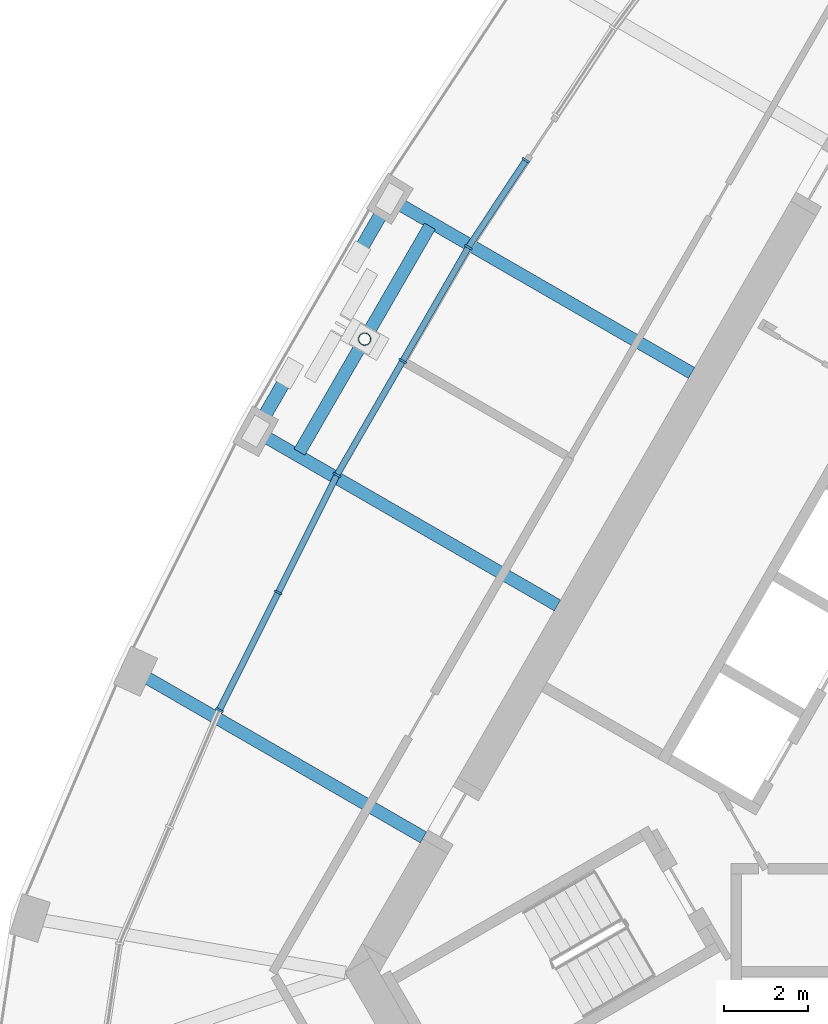
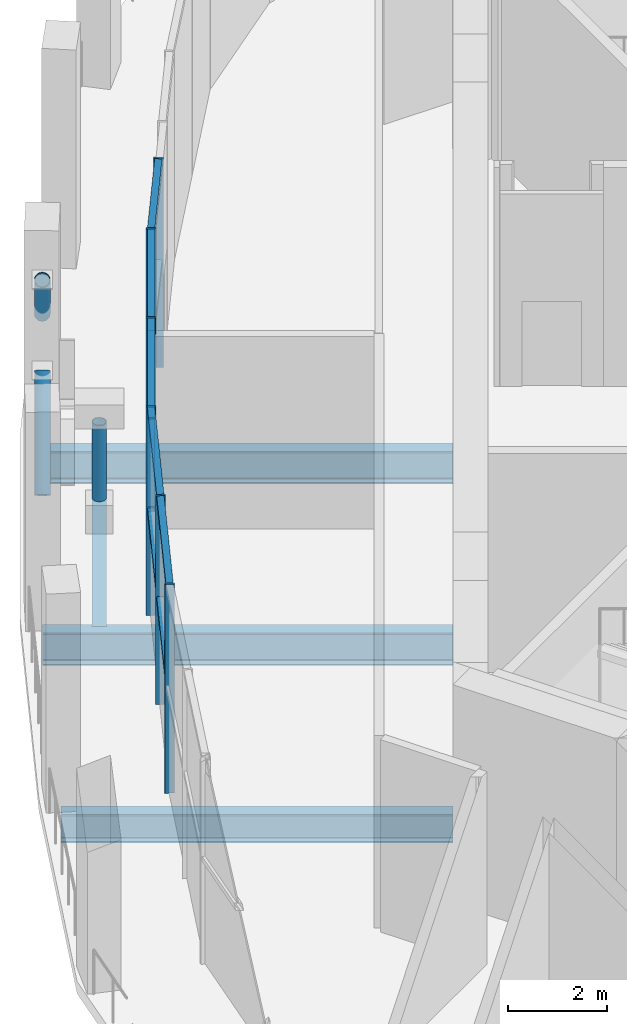
# One storey, part 4 of 23: 19 members, 4 beams, 1 element without a shape of its own.
"""IFC4 building model written with IfcOpenShell, lengths in metres."""

from ifc_helpers import new_model, si_unit, direction, frame, origin, origin_2d, place, context, subcontext, project, spatial, rectangle, hollow_circle, i_section, extrude, material, material_profile, profile_set, type_object, element, aggregate, save


model = new_model("IFC4")

# Units and contexts
model_context = context("Model", 3, precision=1e-05, world=origin(), true_north=direction((0.0, 1.0)))
body_context = subcontext(model_context, "Body", "Model", "MODEL_VIEW")
ifc_project = project(units=[si_unit("LENGTHUNIT", "METRE"), si_unit("AREAUNIT", "SQUARE_METRE"), si_unit("VOLUMEUNIT", "CUBIC_METRE"), si_unit("PLANEANGLEUNIT", "RADIAN"), si_unit("MASSUNIT", "GRAM", prefix="KILO")], contexts=[model_context])

# Site, building, storey
site_placement = place(None, origin())
site = spatial("IfcSite", under=ifc_project, at=site_placement, CompositionType="ELEMENT")
building_placement = place(site_placement, origin())
building = spatial("IfcBuilding", under=site, at=building_placement, Name="Mestral Congress Tower", CompositionType="ELEMENT")
storey_placement = place(building_placement, frame((0.0, 0.0, 261.60009765625)))
storey = spatial("IfcBuildingStorey", under=building, at=storey_placement, Name="L61", CompositionType="ELEMENT", Elevation=261.60009765625)

# Curtain wall, members
ifc_material_1 = material(Name="Clear low-emissivity double glazing", Category="glass")
curtain_wall_type = type_object("IfcCurtainWallType", Name="Facade control room curtain wall", PredefinedType="USERDEFINED", material=ifc_material_1)
curtain_wall_placement = place(storey_placement, origin())
curtain_wall = element("IfcCurtainWall", 1, at=curtain_wall_placement, inside=storey, type_object=curtain_wall_type, Name="Facade control room curtain wall face 3", ObjectType="CURTAIN WALL", PredefinedType="USERDEFINED")
ifc_material_2 = material(Name="Anodised aluminium", Category="aluminium")
ifc_material_profile_1 = material_profile(ifc_material_2, rectangle(XDim=0.199951171875, YDim=0.050048828125, at=origin_2d()), Name="CW5 mullion 200 x 50")
ifc_profile_set_1 = profile_set([ifc_material_profile_1], Name="Anodised aluminium")
member_type_1 = type_object("IfcMemberType", Name="Facade control room curtain wall mullion", PredefinedType="MULLION", material=ifc_profile_set_1)
member_1_placement = place(storey_placement, frame((-11.315673828125, 13.014892578125, 0.0), z_axis=(0.0, 0.0, 1.0), x_axis=(-0.834670077272, 0.550750271998, 0.0)))
member_1 = element("IfcMember", 2, at=member_1_placement, type_object=member_type_1, Name="Facade control room curtain wall mullion", PredefinedType="MULLION", context=body_context, shape_type="SweptSolid", body=[
    extrude(rectangle(XDim=0.199951171875, YDim=0.050048828125, at=origin_2d()), origin(), (0.0, 0.0, 1.0), 5.14990234375),
])
member_2_placement = place(storey_placement, frame((-12.68359375, 10.941650390625, 0.0), z_axis=(0.0, 0.0, 1.0), x_axis=(-0.850725805959, 0.525609744083, 0.0)))
member_2 = element("IfcMember", 3, at=member_2_placement, type_object=member_type_1, Name="Facade control room curtain wall mullion", PredefinedType="MULLION", context=body_context, shape_type="SweptSolid", body=[
    extrude(rectangle(XDim=0.199951171875, YDim=0.050048828125, at=origin_2d()), origin(), (0.0, 0.0, 1.0), 5.14990234375),
])
member_3_placement = place(storey_placement, frame((-14.25048828125, 8.2275390625, 0.0), z_axis=(0.0, 0.0, 1.0), x_axis=(-0.866025403784, 0.5, 0.0)))
member_3 = element("IfcMember", 4, at=member_3_placement, type_object=member_type_1, Name="Facade control room curtain wall mullion", PredefinedType="MULLION", context=body_context, shape_type="SweptSolid", body=[
    extrude(rectangle(XDim=0.199951171875, YDim=0.050048828125, at=origin_2d()), origin(), (0.0, 0.0, 1.0), 5.14990234375),
])
member_4_placement = place(storey_placement, frame((-15.817626953125, 5.513671875, 0.0), z_axis=(0.0, 0.0, 1.0), x_axis=(-0.880554293832, 0.473945287575, 0.0)))
member_4 = element("IfcMember", 5, at=member_4_placement, type_object=member_type_1, Name="Facade control room curtain wall mullion", PredefinedType="MULLION", context=body_context, shape_type="SweptSolid", body=[
    extrude(rectangle(XDim=0.199951171875, YDim=0.050048828125, at=origin_2d()), origin(), (0.0, 0.0, 1.0), 5.14990234375),
])
member_5_placement = place(storey_placement, frame((-17.219970703125, 2.7109375, 0.0), z_axis=(0.0, 0.0, 1.0), x_axis=(-0.894298765328, 0.447470354697, 0.0)))
member_5 = element("IfcMember", 6, at=member_5_placement, type_object=member_type_1, Name="Facade control room curtain wall mullion", PredefinedType="MULLION", context=body_context, shape_type="SweptSolid", body=[
    extrude(rectangle(XDim=0.199951171875, YDim=0.050048828125, at=origin_2d()), origin(), (0.0, 0.0, 1.0), 5.14990234375),
])
member_6_placement = place(storey_placement, frame((-18.622314453125, -0.091552734375, 0.0), z_axis=(0.0, 0.0, 1.0), x_axis=(-0.907248194737, 0.420595664679, 0.0)))
member_6 = element("IfcMember", 7, at=member_6_placement, type_object=member_type_1, Name="Facade control room curtain wall mullion", PredefinedType="MULLION", context=body_context, shape_type="SweptSolid", body=[
    extrude(rectangle(XDim=0.199951171875, YDim=0.050048828125, at=origin_2d()), origin(), (0.0, 0.0, 1.0), 5.14990234375),
])
ifc_material_profile_2 = material_profile(ifc_material_2, rectangle(XDim=0.14990234375, YDim=0.1201171875, at=origin_2d()), Name="CW5 transom 150 x 120")
ifc_profile_set_2 = profile_set([ifc_material_profile_2], Name="Anodised aluminium")
member_type_2 = type_object("IfcMemberType", Name="Facade control room curtain wall transom", PredefinedType="USERDEFINED", material=ifc_profile_set_2)
member_7_placement = place(storey_placement, frame((-11.32958984375, 12.993896484375, 2.599853515625), z_axis=(-0.550712235017, -0.834695174422, 0.0), x_axis=(0.834695174422, -0.550712235017, 0.0)))
member_7 = element("IfcMember", 8, at=member_7_placement, type_object=member_type_2, Name="Facade control room curtain wall transom", ObjectType="TRANSOM", PredefinedType="USERDEFINED", context=body_context, shape_type="SweptSolid", body=[
    extrude(rectangle(XDim=0.14990234375, YDim=0.1201171875, at=origin_2d()), origin(), (0.0, 0.0, 1.0), 2.433837890625),
])
member_8_placement = place(storey_placement, frame((-11.32958984375, 12.993896484375, 5.08984375), z_axis=(-0.550712235017, -0.834695174422, 0.0), x_axis=(0.834695174422, -0.550712235017, 0.0)))
member_8 = element("IfcMember", 9, at=member_8_placement, type_object=member_type_2, Name="Facade control room curtain wall transom", ObjectType="TRANSOM", PredefinedType="USERDEFINED", context=body_context, shape_type="SweptSolid", body=[
    extrude(rectangle(XDim=0.14990234375, YDim=0.1201171875, at=origin_2d()), origin(), (0.0, 0.0, 1.0), 2.433837890625),
])
member_9_placement = place(storey_placement, frame((-12.6962890625, 10.919921875, 2.599853515625), z_axis=(-0.499962318598, -0.866047158059, 0.0), x_axis=(0.866047158059, -0.499962318598, 0.0)))
member_9 = element("IfcMember", 10, at=member_9_placement, type_object=member_type_2, Name="Facade control room curtain wall transom", ObjectType="TRANSOM", PredefinedType="USERDEFINED", context=body_context, shape_type="SweptSolid", body=[
    extrude(rectangle(XDim=0.14990234375, YDim=0.1201171875, at=origin_2d()), origin(), (0.0, 0.0, 1.0), 3.083740234375),
])
member_10_placement = place(storey_placement, frame((-12.6962890625, 10.919921875, 5.08984375), z_axis=(-0.499962318598, -0.866047158059, 0.0), x_axis=(0.866047158059, -0.499962318598, 0.0)))
member_10 = element("IfcMember", 11, at=member_10_placement, type_object=member_type_2, Name="Facade control room curtain wall transom", ObjectType="TRANSOM", PredefinedType="USERDEFINED", context=body_context, shape_type="SweptSolid", body=[
    extrude(rectangle(XDim=0.14990234375, YDim=0.1201171875, at=origin_2d()), origin(), (0.0, 0.0, 1.0), 3.083740234375),
])
member_11_placement = place(storey_placement, frame((-14.26318359375, 8.2060546875, 2.599853515625), z_axis=(-0.499987416453, -0.866032668777, 0.0), x_axis=(0.866032668777, -0.499987416453, 0.0)))
member_11 = element("IfcMember", 12, at=member_11_placement, type_object=member_type_2, Name="Facade control room curtain wall transom", ObjectType="TRANSOM", PredefinedType="USERDEFINED", context=body_context, shape_type="SweptSolid", body=[
    extrude(rectangle(XDim=0.14990234375, YDim=0.1201171875, at=origin_2d()), origin(), (0.0, 0.0, 1.0), 3.083984375),
])
member_12_placement = place(storey_placement, frame((-14.26318359375, 8.2060546875, 5.08984375), z_axis=(-0.499987416453, -0.866032668777, 0.0), x_axis=(0.866032668777, -0.499987416453, 0.0)))
member_12 = element("IfcMember", 13, at=member_12_placement, type_object=member_type_2, Name="Facade control room curtain wall transom", ObjectType="TRANSOM", PredefinedType="USERDEFINED", context=body_context, shape_type="SweptSolid", body=[
    extrude(rectangle(XDim=0.14990234375, YDim=0.1201171875, at=origin_2d()), origin(), (0.0, 0.0, 1.0), 3.083984375),
])
member_13_placement = place(storey_placement, frame((-15.828857421875, 5.4912109375, 2.599853515625), z_axis=(-0.447466920474, -0.894300483664, 0.0), x_axis=(0.894300483664, -0.447466920474, 0.0)))
member_13 = element("IfcMember", 14, at=member_13_placement, type_object=member_type_2, Name="Facade control room curtain wall transom", ObjectType="TRANSOM", PredefinedType="USERDEFINED", context=body_context, shape_type="SweptSolid", body=[
    extrude(rectangle(XDim=0.14990234375, YDim=0.1201171875, at=origin_2d()), origin(), (0.0, 0.0, 1.0), 3.083740234375),
])
member_14_placement = place(storey_placement, frame((-15.828857421875, 5.4912109375, 5.08984375), z_axis=(-0.447466920474, -0.894300483664, 0.0), x_axis=(0.894300483664, -0.447466920474, 0.0)))
member_14 = element("IfcMember", 15, at=member_14_placement, type_object=member_type_2, Name="Facade control room curtain wall transom", ObjectType="TRANSOM", PredefinedType="USERDEFINED", context=body_context, shape_type="SweptSolid", body=[
    extrude(rectangle(XDim=0.14990234375, YDim=0.1201171875, at=origin_2d()), origin(), (0.0, 0.0, 1.0), 3.083740234375),
])
member_15_placement = place(storey_placement, frame((-17.231201171875, 2.688720703125, 2.599853515625), z_axis=(-0.447435241122, -0.894316333856, 0.0), x_axis=(0.894316333856, -0.447435241122, 0.0)))
member_15 = element("IfcMember", 16, at=member_15_placement, type_object=member_type_2, Name="Facade control room curtain wall transom", ObjectType="TRANSOM", PredefinedType="USERDEFINED", context=body_context, shape_type="SweptSolid", body=[
    extrude(rectangle(XDim=0.14990234375, YDim=0.1201171875, at=origin_2d()), origin(), (0.0, 0.0, 1.0), 3.083984375),
])
member_16_placement = place(storey_placement, frame((-17.231201171875, 2.688720703125, 5.08984375), z_axis=(-0.447435241122, -0.894316333856, 0.0), x_axis=(0.894316333856, -0.447435241122, 0.0)))
member_16 = element("IfcMember", 17, at=member_16_placement, type_object=member_type_2, Name="Facade control room curtain wall transom", ObjectType="TRANSOM", PredefinedType="USERDEFINED", context=body_context, shape_type="SweptSolid", body=[
    extrude(rectangle(XDim=0.14990234375, YDim=0.1201171875, at=origin_2d()), origin(), (0.0, 0.0, 1.0), 3.083984375),
])
aggregate(curtain_wall, [member_1, member_2, member_3, member_4, member_5, member_6, member_7, member_8, member_9, member_10, member_11, member_12, member_13, member_14, member_15, member_16])

# Beams
ifc_material_3 = material(Name="Steel S355", Category="steel")
ifc_material_profile_3 = material_profile(ifc_material_3, i_section(OverallWidth=0.300048828125, OverallDepth=0.699951171875, WebThickness=0.01708984375, FlangeThickness=0.031982421875, FilletRadius=0.027099609375, at=origin_2d()), Name="HEB 700")
ifc_profile_set_3 = profile_set([ifc_material_profile_3], Name="Steel S355")
beam_type_1 = type_object("IfcBeamType", Name="Floor beam HEB 700 S355", PredefinedType="BEAM", material=ifc_profile_set_3)
beam_1_placement = place(storey_placement, frame((-20.618896484375, 0.833984375, -0.650146484375), z_axis=(0.866033195618, -0.499986503906, 0.0), x_axis=(0.499986503906, 0.866033195618, 0.0)))
element("IfcBeam", 18, at=beam_1_placement, inside=storey, type_object=beam_type_1, Name="BM-L61-RB5-W04", PredefinedType="BEAM", context=body_context, shape_type="SweptSolid", body=[
    extrude(i_section(OverallWidth=0.300048828125, OverallDepth=0.699951171875, WebThickness=0.01708984375, FlangeThickness=0.031982421875, FilletRadius=0.027099609375, at=origin_2d()), origin(), (0.0, 0.0, 1.0), 7.923583984375),
])
ifc_material_profile_4 = material_profile(ifc_material_3, i_section(OverallWidth=0.300048828125, OverallDepth=0.800048828125, WebThickness=0.017578125, FlangeThickness=0.032958984375, FilletRadius=0.030029296875, at=origin_2d()), Name="HEB 800")
ifc_profile_set_4 = profile_set([ifc_material_profile_4], Name="Steel S355")
beam_type_2 = type_object("IfcBeamType", Name="Floor beam HEB 800 S355", PredefinedType="BEAM", material=ifc_profile_set_4)
for number, where, z_axis, x_axis, name in (
    (19, (-14.55615234375, 12.098388671875, -0.7001953125), (0.866029429613, -0.499993026995, 0.0), (0.499993026995, 0.866029429613, 0.0), "BM-L61-RB5-W02"),
    (20, (-17.755615234375, 6.556640625, -0.7001953125), (0.86602208059, -0.500005755898, 0.0), (0.500005755898, 0.86602208059, 0.0), "BM-L61-RB5-W03"),
):
    element("IfcBeam", number, at=place(storey_placement, frame(where, z_axis=z_axis, x_axis=x_axis)), inside=storey, type_object=beam_type_2, Name=name, PredefinedType="BEAM", context=body_context, shape_type="SweptSolid", body=[
        extrude(i_section(OverallWidth=0.300048828125, OverallDepth=0.800048828125, WebThickness=0.017578125, FlangeThickness=0.032958984375, FilletRadius=0.030029296875, at=origin_2d()), origin(), (0.0, 0.0, 1.0), 8.30517578125),
    ])

# Members
ifc_material_profile_5 = material_profile(ifc_material_3, hollow_circle(Radius=0.161865234375, WallThickness=0.012451171875, at=origin_2d()), Name="CHS 323.9x12.5")
ifc_profile_set_5 = profile_set([ifc_material_profile_5], Name="Steel S355")
member_type_3 = type_object("IfcMemberType", Name="Slot frame knee brace CHS 323.9x12.5 S355", PredefinedType="BRACE", material=ifc_profile_set_5)
for number, where, z_axis, x_axis, name in (
    (21, (-14.55615234375, 12.098388671875, 3.0), (-0.31671608305, -0.548478416634, 0.773861970395), (0.865989903783, -0.500061482766, 0.0), "MK-L61-KB-C5-W02"),
    (22, (-17.755615234375, 6.556640625, 3.0), (0.316612340064, 0.548562772346, 0.7738446297), (-0.866094119867, 0.499880961361, 0.0), "MK-L61-KB-C5-W03"),
):
    element("IfcMember", number, at=place(storey_placement, frame(where, z_axis=z_axis, x_axis=x_axis)), inside=storey, type_object=member_type_3, Name=name, PredefinedType="BRACE", context=body_context, shape_type="SweptSolid", body=[
        extrude(hollow_circle(Radius=0.161865234375, WallThickness=0.012451171875, at=origin_2d()), origin(), (0.0, 0.0, 1.0), 2.526123046875),
    ])
ifc_material_profile_6 = material_profile(ifc_material_3, hollow_circle(Radius=0.14990234375, WallThickness=0.01611328125, at=origin_2d()), Name="CHS 300 x 16")
ifc_profile_set_6 = profile_set([ifc_material_profile_6], Name="Steel S355")
member_type_4 = type_object("IfcMemberType", Name="Slot turbine mast CHS 300", PredefinedType="USERDEFINED", material=ifc_profile_set_6)
member_17_placement = place(storey_placement, frame((-15.157958984375, 8.75146484375, 0.699951171875), z_axis=(0.0, 0.0, 1.0), x_axis=(1.0, 0.0, 0.0)))
element("IfcMember", 23, at=member_17_placement, inside=storey, type_object=member_type_4, Name="Turbine 3 mast", ObjectType="TURBINE MAST", PredefinedType="USERDEFINED", context=body_context, shape_type="SweptSolid", body=[
    extrude(hollow_circle(Radius=0.14990234375, WallThickness=0.01611328125, at=origin_2d()), origin(), (0.0, 0.0, 1.0), 1.8798828125),
])

# Beam
ifc_material_profile_7 = material_profile(ifc_material_3, i_section(OverallWidth=0.300048828125, OverallDepth=0.699951171875, WebThickness=0.01708984375, FlangeThickness=0.031982421875, FilletRadius=0.027099609375, at=origin_2d()), Name="HEB 700")
ifc_profile_set_7 = profile_set([ifc_material_profile_7], Name="Steel S355")
beam_type_3 = type_object("IfcBeamType", Name="Slot turbine transfer beam HEB 700 S355", PredefinedType="BEAM", material=ifc_profile_set_7)
beam_2_placement = place(storey_placement, frame((-13.603271484375, 11.4443359375, -0.650146484375), z_axis=(-0.500019227917, -0.866014302257, 0.0), x_axis=(0.866014302257, -0.500019227917, 0.0)))
element("IfcBeam", 24, at=beam_2_placement, inside=storey, type_object=beam_type_3, Name="Turbine 3 transfer beam", PredefinedType="BEAM", context=body_context, shape_type="SweptSolid", body=[
    extrude(i_section(OverallWidth=0.300048828125, OverallDepth=0.699951171875, WebThickness=0.01708984375, FlangeThickness=0.031982421875, FilletRadius=0.027099609375, at=origin_2d()), origin(), (0.0, 0.0, 1.0), 6.218994140625),
])

save(model, "model.ifc")
